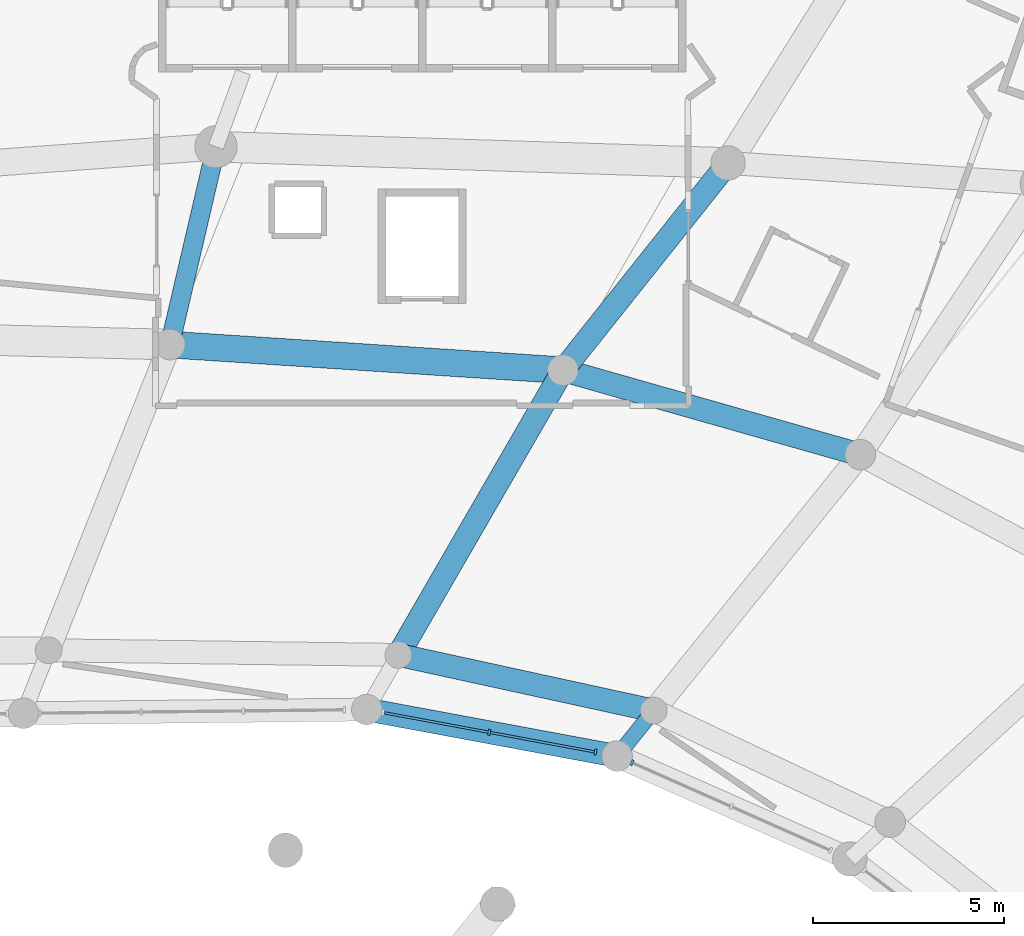
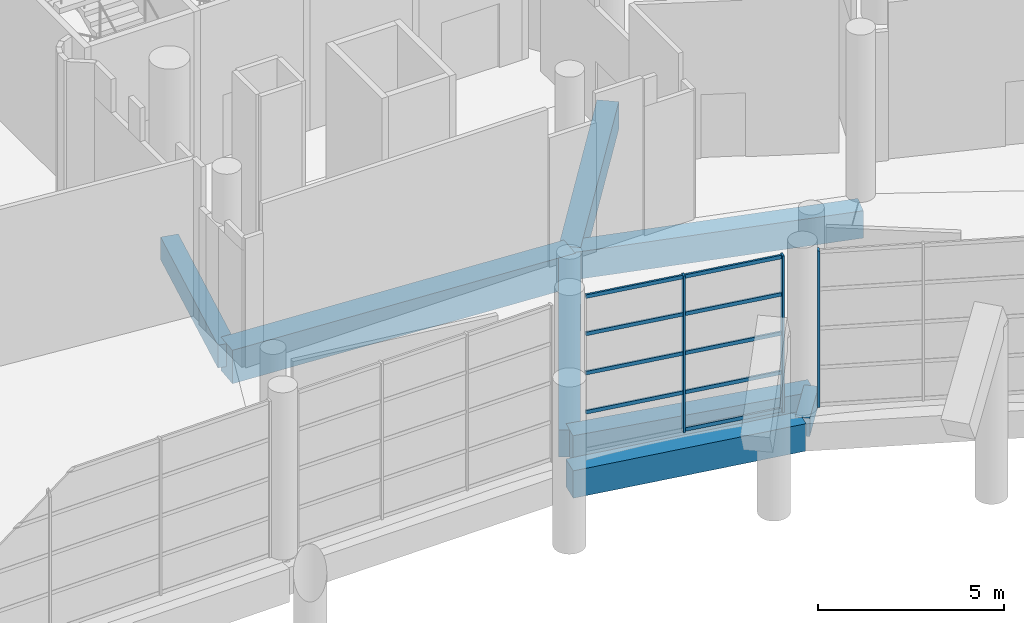
# One storey, part 104 of 271: 12 members, 8 beams, 2 elements without a shape of their own.
"""IFC4 building model written with IfcOpenShell, lengths in metres."""

from ifc_helpers import new_model, si_unit, direction, frame, origin, origin_2d, place, context, subcontext, project, spatial, rectangle, extrude, material, layer, layer_set, material_profile, profile_set, type_object, element, aggregate, save


model = new_model("IFC4")

# Units and contexts
model_context = context("Model", 3, precision=1e-05, world=origin(), true_north=direction((0.0, 1.0)))
body_context = subcontext(model_context, "Body", "Model", "MODEL_VIEW")
ifc_project = project(units=[si_unit("LENGTHUNIT", "METRE"), si_unit("AREAUNIT", "SQUARE_METRE"), si_unit("VOLUMEUNIT", "CUBIC_METRE"), si_unit("PLANEANGLEUNIT", "RADIAN"), si_unit("MASSUNIT", "GRAM", prefix="KILO")], contexts=[model_context])

# Site, building, storey
site_placement = place(None, origin())
site = spatial("IfcSite", under=ifc_project, at=site_placement, CompositionType="ELEMENT")
building_placement = place(site_placement, origin())
building = spatial("IfcBuilding", under=site, at=building_placement, Name="Meseta Stadium", CompositionType="ELEMENT")
storey_placement = place(building_placement, frame((0.0, 0.0, 6.5)))
storey = spatial("IfcBuildingStorey", under=building, at=storey_placement, Name="L01", CompositionType="ELEMENT", Elevation=6.5)

# Curtain wall, member
ifc_material_1 = material(Name="Aluminium", Category="aluminium")
ifc_layer = layer(ifc_material_1, 0.199951171875)
ifc_layer_set = layer_set([ifc_layer], Name="Club glazing curtain wall")
curtain_wall_type = type_object("IfcCurtainWallType", Name="Club glazing curtain wall", PredefinedType="NOTDEFINED", material=ifc_layer_set)
curtain_wall_1_placement = place(storey_placement, origin())
curtain_wall_1 = element("IfcCurtainWall", 1, at=curtain_wall_1_placement, inside=storey, type_object=curtain_wall_type, Name="Club glazing bay 13", PredefinedType="NOTDEFINED")
ifc_material_2 = material(Name="Aluminium", Category="aluminium")
ifc_material_profile_1 = material_profile(ifc_material_2, rectangle(XDim=0.159912109375, YDim=0.06005859375, at=origin_2d()), Name="CW 160x60")
ifc_profile_set_1 = profile_set([ifc_material_profile_1], Name="Aluminium")
member_type_1 = type_object("IfcMemberType", Name="CW mullion 60x160", PredefinedType="MULLION", material=ifc_profile_set_1)
member_1_placement = place(storey_placement, frame((43.823486328125, 74.443603515625, 0.0), z_axis=(0.0, 0.0, 1.0), x_axis=(-0.40452428424, -0.914527256817, 0.0)))
member_1 = element("IfcMember", 2, at=member_1_placement, type_object=member_type_1, Name="CWC mullion 3", PredefinedType="MULLION", context=body_context, shape_type="SweptSolid", body=[
    extrude(rectangle(XDim=0.159912109375, YDim=0.06005859375, at=origin_2d()), origin(), (0.0, 0.0, 1.0), 5.14990234375),
])
aggregate(curtain_wall_1, [member_1])

# Curtain wall, members
curtain_wall_2_placement = place(storey_placement, origin())
curtain_wall_2 = element("IfcCurtainWall", 3, at=curtain_wall_2_placement, inside=storey, type_object=curtain_wall_type, Name="Club glazing bay 14", PredefinedType="NOTDEFINED")
member_2_placement = place(storey_placement, frame((42.86572265625, 74.722412109375, 0.0), z_axis=(0.0, 0.0, 1.0), x_axis=(-0.182600324962, -0.983187225977, 0.0)))
member_2 = element("IfcMember", 4, at=member_2_placement, type_object=member_type_1, Name="CWC mullion 1", PredefinedType="MULLION", context=body_context, shape_type="SweptSolid", body=[
    extrude(rectangle(XDim=0.159912109375, YDim=0.06005859375, at=origin_2d()), origin(), (0.0, 0.0, 1.0), 5.14990234375),
])
member_3_placement = place(storey_placement, frame((40.087158203125, 75.23828125, 0.0), z_axis=(0.0, 0.0, 1.0), x_axis=(-0.182600324962, -0.983187225977, 0.0)))
member_3 = element("IfcMember", 5, at=member_3_placement, type_object=member_type_1, Name="CWC mullion 2", PredefinedType="MULLION", context=body_context, shape_type="SweptSolid", body=[
    extrude(rectangle(XDim=0.159912109375, YDim=0.06005859375, at=origin_2d()), origin(), (0.0, 0.0, 1.0), 5.14990234375),
])
ifc_material_3 = material(Name="Aluminium", Category="aluminium")
ifc_material_profile_2 = material_profile(ifc_material_3, rectangle(XDim=0.06005859375, YDim=0.1201171875, at=origin_2d()), Name="CW 60x120")
ifc_profile_set_2 = profile_set([ifc_material_profile_2], Name="Aluminium")
member_type_2 = type_object("IfcMemberType", Name="CW transom 60x120", PredefinedType="USERDEFINED", material=ifc_profile_set_2)
member_4_placement = place(storey_placement, frame((42.836181640625, 74.727783203125, 0.06005859375), z_axis=(-0.983186472546, 0.182604381661, 0.0), x_axis=(-0.182604381661, -0.983186472546, 0.0)))
member_4 = element("IfcMember", 6, at=member_4_placement, type_object=member_type_2, Name="CWC transom 1.1", ObjectType="TRANSOM", PredefinedType="USERDEFINED", context=body_context, shape_type="SweptSolid", body=[
    extrude(rectangle(XDim=0.06005859375, YDim=0.1201171875, at=origin_2d()), origin(), (0.0, 0.0, 1.0), 2.766357421875),
])
member_5_placement = place(storey_placement, frame((42.836181640625, 74.727783203125, 1.28759765625), z_axis=(-0.983186472546, 0.182604381661, 0.0), x_axis=(-0.182604381661, -0.983186472546, 0.0)))
member_5 = element("IfcMember", 7, at=member_5_placement, type_object=member_type_2, Name="CWC transom 1.2", ObjectType="TRANSOM", PredefinedType="USERDEFINED", context=body_context, shape_type="SweptSolid", body=[
    extrude(rectangle(XDim=0.06005859375, YDim=0.1201171875, at=origin_2d()), origin(), (0.0, 0.0, 1.0), 2.766357421875),
])
member_6_placement = place(storey_placement, frame((42.836181640625, 74.727783203125, 2.574951171875), z_axis=(-0.983186472546, 0.182604381661, 0.0), x_axis=(-0.182604381661, -0.983186472546, 0.0)))
member_6 = element("IfcMember", 8, at=member_6_placement, type_object=member_type_2, Name="CWC transom 1.3", ObjectType="TRANSOM", PredefinedType="USERDEFINED", context=body_context, shape_type="SweptSolid", body=[
    extrude(rectangle(XDim=0.06005859375, YDim=0.1201171875, at=origin_2d()), origin(), (0.0, 0.0, 1.0), 2.766357421875),
])
member_7_placement = place(storey_placement, frame((42.836181640625, 74.727783203125, 3.862548828125), z_axis=(-0.983186472546, 0.182604381661, 0.0), x_axis=(-0.182604381661, -0.983186472546, 0.0)))
member_7 = element("IfcMember", 9, at=member_7_placement, type_object=member_type_2, Name="CWC transom 1.4", ObjectType="TRANSOM", PredefinedType="USERDEFINED", context=body_context, shape_type="SweptSolid", body=[
    extrude(rectangle(XDim=0.06005859375, YDim=0.1201171875, at=origin_2d()), origin(), (0.0, 0.0, 1.0), 2.766357421875),
])
member_8_placement = place(storey_placement, frame((42.836181640625, 74.727783203125, 5.090087890625), z_axis=(-0.983186472546, 0.182604381661, 0.0), x_axis=(-0.182604381661, -0.983186472546, 0.0)))
member_8 = element("IfcMember", 10, at=member_8_placement, type_object=member_type_2, Name="CWC transom 1.5", ObjectType="TRANSOM", PredefinedType="USERDEFINED", context=body_context, shape_type="SweptSolid", body=[
    extrude(rectangle(XDim=0.06005859375, YDim=0.1201171875, at=origin_2d()), origin(), (0.0, 0.0, 1.0), 2.766357421875),
])
member_9_placement = place(storey_placement, frame((40.0576171875, 75.243896484375, 1.28759765625), z_axis=(-0.983186472546, 0.182604381661, 0.0), x_axis=(-0.182604381661, -0.983186472546, 0.0)))
member_9 = element("IfcMember", 11, at=member_9_placement, type_object=member_type_2, Name="CWC transom 2.2", ObjectType="TRANSOM", PredefinedType="USERDEFINED", context=body_context, shape_type="SweptSolid", body=[
    extrude(rectangle(XDim=0.06005859375, YDim=0.1201171875, at=origin_2d()), origin(), (0.0, 0.0, 1.0), 2.766357421875),
])
member_10_placement = place(storey_placement, frame((40.0576171875, 75.243896484375, 2.574951171875), z_axis=(-0.983186472546, 0.182604381661, 0.0), x_axis=(-0.182604381661, -0.983186472546, 0.0)))
member_10 = element("IfcMember", 12, at=member_10_placement, type_object=member_type_2, Name="CWC transom 2.3", ObjectType="TRANSOM", PredefinedType="USERDEFINED", context=body_context, shape_type="SweptSolid", body=[
    extrude(rectangle(XDim=0.06005859375, YDim=0.1201171875, at=origin_2d()), origin(), (0.0, 0.0, 1.0), 2.766357421875),
])
member_11_placement = place(storey_placement, frame((40.0576171875, 75.243896484375, 3.862548828125), z_axis=(-0.983186472546, 0.182604381661, 0.0), x_axis=(-0.182604381661, -0.983186472546, 0.0)))
member_11 = element("IfcMember", 13, at=member_11_placement, type_object=member_type_2, Name="CWC transom 2.4", ObjectType="TRANSOM", PredefinedType="USERDEFINED", context=body_context, shape_type="SweptSolid", body=[
    extrude(rectangle(XDim=0.06005859375, YDim=0.1201171875, at=origin_2d()), origin(), (0.0, 0.0, 1.0), 2.766357421875),
])
member_12_placement = place(storey_placement, frame((40.0576171875, 75.243896484375, 5.090087890625), z_axis=(-0.983186472546, 0.182604381661, 0.0), x_axis=(-0.182604381661, -0.983186472546, 0.0)))
member_12 = element("IfcMember", 14, at=member_12_placement, type_object=member_type_2, Name="CWC transom 2.5", ObjectType="TRANSOM", PredefinedType="USERDEFINED", context=body_context, shape_type="SweptSolid", body=[
    extrude(rectangle(XDim=0.06005859375, YDim=0.1201171875, at=origin_2d()), origin(), (0.0, 0.0, 1.0), 2.766357421875),
])
aggregate(curtain_wall_2, [member_2, member_3, member_4, member_5, member_6, member_7, member_8, member_9, member_10, member_11, member_12])

# Beams
ifc_material_4 = material(Name="Concrete C40/50", Category="concrete")
ifc_material_profile_3 = material_profile(ifc_material_4, rectangle(XDim=0.39990234375, YDim=0.60009765625, at=origin_2d()), Name="RC 400x600")
ifc_profile_set_3 = profile_set([ifc_material_profile_3], Name="Concrete C40/50")
beam_type_1 = type_object("IfcBeamType", Name="RC beam 400x600", PredefinedType="BEAM", material=ifc_profile_set_3)
beam_1_placement = place(storey_placement, frame((43.430419921875, 74.617431640625, -0.64990234375), z_axis=(0.628002290607, 0.778211489887, 0.0), x_axis=(-0.778211489887, 0.628002290607, 0.0)))
element("IfcBeam", 15, at=beam_1_placement, inside=storey, type_object=beam_type_1, Name="L01 radial beam frame 14 line C to D", PredefinedType="BEAM", context=body_context, shape_type="SweptSolid", body=[
    extrude(rectangle(XDim=0.39990234375, YDim=0.60009765625, at=origin_2d()), origin(), (0.0, 0.0, 1.0), 1.52783203125),
])
ifc_material_5 = material(Name="Concrete C40/50", Category="concrete")
ifc_material_profile_4 = material_profile(ifc_material_5, rectangle(XDim=0.5, YDim=0.75, at=origin_2d()), Name="RC 500x750")
ifc_profile_set_4 = profile_set([ifc_material_profile_4], Name="Concrete C40/50")
beam_type_2 = type_object("IfcBeamType", Name="RC beam 500x750", PredefinedType="BEAM", material=ifc_profile_set_4)
beam_2_placement = place(storey_placement, frame((31.73681640625, 85.376708984375, -0.72509765625), z_axis=(0.22721799518, 0.973843921101, 0.0), x_axis=(-0.973843921101, 0.22721799518, 0.0)))
element("IfcBeam", 16, at=beam_2_placement, inside=storey, type_object=beam_type_2, Name="L01 radial beam frame 16 line E to P", PredefinedType="BEAM", context=body_context, shape_type="SweptSolid", body=[
    extrude(rectangle(XDim=0.5, YDim=0.75, at=origin_2d()), origin(), (0.0, 0.0, 1.0), 5.313232421875),
])
ifc_material_6 = material(Name="Concrete C40/50", Category="concrete")
ifc_material_profile_5 = material_profile(ifc_material_6, rectangle(XDim=0.60009765625, YDim=0.89990234375, at=origin_2d()), Name="RC 600x900")
ifc_profile_set_5 = profile_set([ifc_material_profile_5], Name="Concrete C40/50")
beam_type_3 = type_object("IfcBeamType", Name="RC beam 600x900", PredefinedType="BEAM", material=ifc_profile_set_5)
beam_3_placement = place(storey_placement, frame((43.430419921875, 74.617431640625, -0.800048828125), z_axis=(-0.983183844392, 0.182618531718, 0.0), x_axis=(-0.182618531718, -0.983183844392, 0.0)))
element("IfcBeam", 17, at=beam_3_placement, inside=storey, type_object=beam_type_3, Name="L01 ring beam frame 14 line C", PredefinedType="BEAM", context=body_context, shape_type="SweptSolid", body=[
    extrude(rectangle(XDim=0.60009765625, YDim=0.89990234375, at=origin_2d()), origin(), (0.0, 0.0, 1.0), 6.65625),
])
beam_4_placement = place(storey_placement, frame((44.389892578125, 75.806396484375, -0.800048828125), z_axis=(-0.977068887475, 0.212923434899, 0.0), x_axis=(-0.212923434899, -0.977068887475, 0.0)))
element("IfcBeam", 18, at=beam_4_placement, inside=storey, type_object=beam_type_3, Name="L01 ring beam frame 14 line D", PredefinedType="BEAM", context=body_context, shape_type="SweptSolid", body=[
    extrude(rectangle(XDim=0.60009765625, YDim=0.89990234375, at=origin_2d()), origin(), (0.0, 0.0, 1.0), 6.8349609375),
])
beam_5_placement = place(storey_placement, frame((49.791015625, 82.498779296875, -0.800048828125), z_axis=(-0.961951325549, 0.273220876351, 0.0), x_axis=(-0.273220876351, -0.961951325549, 0.0)))
element("IfcBeam", 19, at=beam_5_placement, inside=storey, type_object=beam_type_3, Name="L01 ring beam frame 14 line E", PredefinedType="BEAM", context=body_context, shape_type="SweptSolid", body=[
    extrude(rectangle(XDim=0.60009765625, YDim=0.89990234375, at=origin_2d()), origin(), (0.0, 0.0, 1.0), 8.083251953125),
])
beam_6_placement = place(storey_placement, frame((37.711669921875, 77.26171875, -0.800048828125), z_axis=(0.500437453612, 0.865772692467, 0.0), x_axis=(-0.865772692467, 0.500437453612, 0.0)))
element("IfcBeam", 20, at=beam_6_placement, inside=storey, type_object=beam_type_3, Name="L01 radial beam frame 15 line D to E", PredefinedType="BEAM", context=body_context, shape_type="SweptSolid", body=[
    extrude(rectangle(XDim=0.60009765625, YDim=0.89990234375, at=origin_2d()), origin(), (0.0, 0.0, 1.0), 8.599853515625),
])
beam_7_placement = place(storey_placement, frame((42.015380859375, 84.707275390625, -0.800048828125), z_axis=(0.623172725644, 0.782084237159, 0.0), x_axis=(-0.782084237159, 0.623172725644, 0.0)))
element("IfcBeam", 21, at=beam_7_placement, inside=storey, type_object=beam_type_3, Name="L01 radial beam frame 15 line E to P", PredefinedType="BEAM", context=body_context, shape_type="SweptSolid", body=[
    extrude(rectangle(XDim=0.60009765625, YDim=0.89990234375, at=origin_2d()), origin(), (0.0, 0.0, 1.0), 6.928955078125),
])
ifc_material_7 = material(Name="Concrete C40/50", Category="concrete")
ifc_material_profile_6 = material_profile(ifc_material_7, rectangle(XDim=0.699951171875, YDim=1.10009765625, at=origin_2d()), Name="RC 700x1100")
ifc_profile_set_6 = profile_set([ifc_material_profile_6], Name="Concrete C40/50")
beam_type_4 = type_object("IfcBeamType", Name="RC beam 700x1100", PredefinedType="BEAM", material=ifc_profile_set_6)
beam_8_placement = place(storey_placement, frame((42.015380859375, 84.707275390625, -0.89990234375), z_axis=(-0.997885824096, 0.064991399959, 0.0), x_axis=(-0.064991399959, -0.997885824096, 0.0)))
element("IfcBeam", 22, at=beam_8_placement, inside=storey, type_object=beam_type_4, Name="L01 ring beam frame 15 line E", PredefinedType="BEAM", context=body_context, shape_type="SweptSolid", body=[
    extrude(rectangle(XDim=0.699951171875, YDim=1.10009765625, at=origin_2d()), origin(), (0.0, 0.0, 1.0), 10.30029296875),
])

save(model, "model.ifc")
